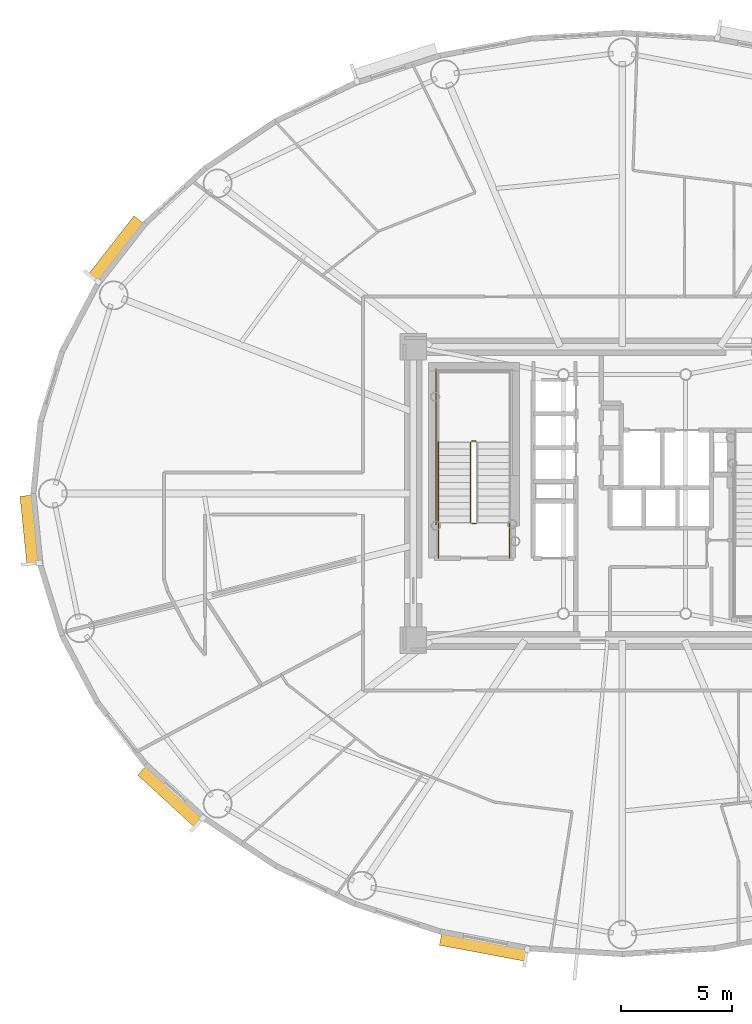
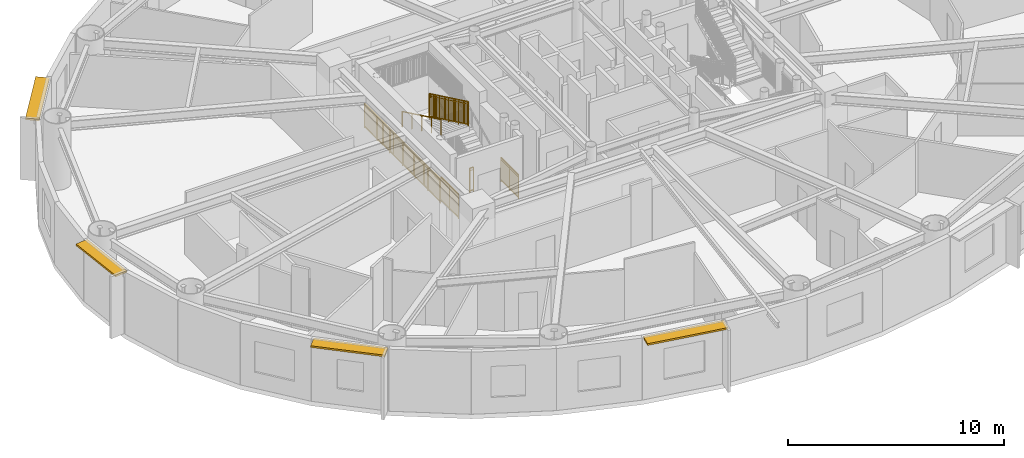
# One storey, part 12 of 17: 7 railings, 4 shading devices.
"""IFC4 building model written with IfcOpenShell, lengths in metres."""

from ifc_helpers import new_model, si_unit, direction, frame, origin, origin_2d, place, context, subcontext, project, spatial, rectangle, extrude, source, transform, mapped, material, layer, layer_set, type_object, element, save


model = new_model("IFC4")

# Units and contexts
model_context = context("Model", 3, precision=1e-05, world=origin(), true_north=direction((0.0, 1.0)))
body_context = subcontext(model_context, "Body", "Model", "MODEL_VIEW")
ifc_project = project(units=[si_unit("LENGTHUNIT", "METRE"), si_unit("AREAUNIT", "SQUARE_METRE"), si_unit("VOLUMEUNIT", "CUBIC_METRE"), si_unit("PLANEANGLEUNIT", "RADIAN"), si_unit("MASSUNIT", "GRAM", prefix="KILO")], contexts=[model_context])

# Site, building, storey
site_placement = place(None, origin())
site = spatial("IfcSite", under=ifc_project, at=site_placement, CompositionType="ELEMENT")
building_placement = place(site_placement, origin())
building = spatial("IfcBuilding", under=site, at=building_placement, Name="Linh Dai School and Residence Tower", CompositionType="ELEMENT")
storey_placement = place(building_placement, frame((0.0, 0.0, 197.39990234375)))
storey = spatial("IfcBuildingStorey", under=building, at=storey_placement, Name="L48", CompositionType="ELEMENT", Elevation=197.39990234375)

# Shading devices
ifc_material_1 = material(Name="Terracotta Ceramic Sunshade", Category="masonry")
ifc_layer = layer(ifc_material_1, 0.10009765625)
ifc_layer_set = layer_set([ifc_layer], Name="Terracotta Ceramic Sunshade")
shading_device_type = type_object("IfcShadingDeviceType", Name="SHD-TC-650", PredefinedType="USERDEFINED", material=ifc_layer_set)
shared_shape_1 = source(origin(), body_context, "Body", "SweptSolid", [
    extrude(rectangle(XDim=3.1201171875, YDim=0.64990234375, at=origin_2d()), origin(), (0.0, 0.0, 1.0), 0.10009765625),
])
shading_device_1_placement = place(storey_placement, frame((9.40380859375, 25.354736328125, 3.380126953125), z_axis=(0.0, 0.0, 1.0), x_axis=(-0.100001796141, 0.994987256586, 0.0)))
element("IfcShadingDevice", 1, at=shading_device_1_placement, inside=storey, type_object=shading_device_type, Name="L48 Terracotta Horizontal Sunshade Band 21", ObjectType="SUNSHADE", PredefinedType="USERDEFINED", context=body_context, shape_type="MappedRepresentation", body=[
    mapped(shared_shape_1, transform((0.0, 0.0, 0.0), x_axis=(1.0, 0.0, 0.0), y_axis=(0.0, 1.0, 0.0), z_axis=(0.0, 0.0, 1.0), scale=1.0)),
])
shared_shape_2 = source(origin(), body_context, "Body", "SweptSolid", [
    extrude(rectangle(XDim=3.51171875, YDim=0.64990234375, at=origin_2d()), origin(), (0.0, 0.0, 1.0), 0.10009765625),
])
shading_device_2_placement = place(storey_placement, frame((15.727294921875, 13.395263671875, 3.380126953125), z_axis=(0.0, 0.0, 1.0), x_axis=(-0.737085029426, 0.67580001435, 0.0)))
element("IfcShadingDevice", 2, at=shading_device_2_placement, inside=storey, type_object=shading_device_type, Name="L48 Terracotta Horizontal Sunshade Band 25", ObjectType="SUNSHADE", PredefinedType="USERDEFINED", context=body_context, shape_type="MappedRepresentation", body=[
    mapped(shared_shape_2, transform((0.0, 0.0, 0.0), x_axis=(1.0, 0.0, 0.0), y_axis=(0.0, 1.0, 0.0), z_axis=(0.0, 0.0, 1.0), scale=1.0)),
])
shared_shape_3 = source(origin(), body_context, "Body", "SweptSolid", [
    extrude(rectangle(XDim=3.949462890625, YDim=0.64990234375, at=origin_2d()), origin(), (0.0, 0.0, 1.0), 0.10009765625),
])
shading_device_3_placement = place(storey_placement, frame((29.780029296875, 6.650390625, 3.380126953125), z_axis=(0.0, 0.0, 1.0), x_axis=(-0.982783192645, 0.184762540184, 0.0)))
element("IfcShadingDevice", 3, at=shading_device_3_placement, inside=storey, type_object=shading_device_type, Name="L48 Terracotta Horizontal Sunshade Band 29", ObjectType="SUNSHADE", PredefinedType="USERDEFINED", context=body_context, shape_type="MappedRepresentation", body=[
    mapped(shared_shape_3, transform((0.0, 0.0, 0.0), x_axis=(1.0, 0.0, 0.0), y_axis=(0.0, 1.0, 0.0), z_axis=(0.0, 0.0, 1.0), scale=1.0)),
])
shared_shape_4 = source(origin(), body_context, "Body", "SweptSolid", [
    extrude(rectangle(XDim=3.376708984375, YDim=0.64990234375, at=origin_2d()), origin(), (0.0, 0.0, 1.0), 0.10009765625),
])
shading_device_4_placement = place(storey_placement, frame((13.263427734375, 37.94921875, 3.380126953125), z_axis=(0.0, 0.0, 1.0), x_axis=(0.616286337798, 0.787522158319, 0.0)))
element("IfcShadingDevice", 4, at=shading_device_4_placement, inside=storey, type_object=shading_device_type, Name="L48 Terracotta Horizontal Sunshade Band 17", ObjectType="SUNSHADE", PredefinedType="USERDEFINED", context=body_context, shape_type="MappedRepresentation", body=[
    mapped(shared_shape_4, transform((0.0, 0.0, 0.0), x_axis=(1.0, 0.0, 0.0), y_axis=(0.0, 1.0, 0.0), z_axis=(0.0, 0.0, 1.0), scale=1.0)),
])

# Railings
ifc_material_2 = material(Name="Structural Steel S355JR", Category="steel")
railing_type_1 = type_object("IfcRailingType", Name="RL-ST-GUARD-1400", PredefinedType="GUARDRAIL", material=ifc_material_2)
shared_shape_5 = source(origin(), body_context, "Body", "SweptSolid", [
    extrude(rectangle(XDim=0.048095703125, YDim=0.048095703125, at=origin_2d()), frame((0.0, 0.0, 1.3759765625), z_axis=(-1.0, 0.0, 0.0), x_axis=(0.0, -1.0, 0.0)), (0.0, 0.0, 1.0), 0.199951171875),
    extrude(rectangle(XDim=0.048095703125, YDim=0.048095703125, at=origin_2d()), frame((0.0, 0.0, 0.10009765625), z_axis=(-1.0, 0.0, 0.0), x_axis=(0.0, -1.0, 0.0)), (0.0, 0.0, 1.0), 0.199951171875),
    extrude(rectangle(XDim=0.030029296875, YDim=0.030029296875, at=origin_2d()), frame((0.0, 0.0, 1.239990234375), z_axis=(-1.0, 0.0, 0.0), x_axis=(0.0, -1.0, 0.0)), (0.0, 0.0, 1.0), 0.199951171875),
    extrude(rectangle(XDim=0.0419921875, YDim=0.0419921875, at=origin_2d()), origin(), (0.0, 0.0, 1.0), 1.3759765625),
    extrude(rectangle(XDim=0.0419921875, YDim=0.0419921875, at=origin_2d()), frame((-0.199951171875, 0.0, 0.0)), (0.0, 0.0, 1.0), 1.3759765625),
])
for number, where, name in (
    (5, (29.429931640625, 29.35009765625, 1.875), "L48 ST1 stair guard 2"),
    (6, (29.429931640625, 25.64990234375, 0.0), "L48 ST1 stair guard 7"),
):
    element("IfcRailing", number, at=place(storey_placement, frame(where)), inside=storey, type_object=railing_type_1, Name=name, PredefinedType="GUARDRAIL", context=body_context, shape_type="MappedRepresentation", body=[
        mapped(shared_shape_5, transform((0.0, 0.0, 0.0), x_axis=(1.0, 0.0, 0.0), y_axis=(0.0, 1.0, 0.0), z_axis=(0.0, 0.0, 1.0), scale=1.0)),
    ])
shared_shape_6 = source(origin(), body_context, "Body", "SweptSolid", [
    extrude(rectangle(XDim=0.048095703125, YDim=0.048095703125, at=origin_2d()), frame((0.0, 0.0, 1.3759765625), z_axis=(0.0, 1.0, 0.0), x_axis=(-1.0, 0.0, 0.0)), (0.0, 0.0, 1.0), 1.599853515625),
    extrude(rectangle(XDim=0.048095703125, YDim=0.048095703125, at=origin_2d()), frame((0.0, 0.0, 0.10009765625), z_axis=(0.0, 1.0, 0.0), x_axis=(-1.0, 0.0, 0.0)), (0.0, 0.0, 1.0), 1.599853515625),
    extrude(rectangle(XDim=0.030029296875, YDim=0.030029296875, at=origin_2d()), frame((0.0, 0.0, 1.239990234375), z_axis=(0.0, 1.0, 0.0), x_axis=(-1.0, 0.0, 0.0)), (0.0, 0.0, 1.0), 1.599853515625),
    extrude(rectangle(XDim=0.02001953125, YDim=0.02001953125, at=origin_2d()), frame((0.0, 0.093994140625, 0.10009765625)), (0.0, 0.0, 1.0), 1.251708984375),
    extrude(rectangle(XDim=0.02001953125, YDim=0.02001953125, at=origin_2d()), frame((0.0, 0.188232421875, 0.10009765625)), (0.0, 0.0, 1.0), 1.251708984375),
    extrude(rectangle(XDim=0.02001953125, YDim=0.02001953125, at=origin_2d()), frame((0.0, 0.2822265625, 0.10009765625)), (0.0, 0.0, 1.0), 1.251708984375),
    extrude(rectangle(XDim=0.02001953125, YDim=0.02001953125, at=origin_2d()), frame((0.0, 0.37646484375, 0.10009765625)), (0.0, 0.0, 1.0), 1.251708984375),
    extrude(rectangle(XDim=0.02001953125, YDim=0.02001953125, at=origin_2d()), frame((0.0, 0.470458984375, 0.10009765625)), (0.0, 0.0, 1.0), 1.251708984375),
    extrude(rectangle(XDim=0.02001953125, YDim=0.02001953125, at=origin_2d()), frame((0.0, 0.564697265625, 0.10009765625)), (0.0, 0.0, 1.0), 1.251708984375),
    extrude(rectangle(XDim=0.02001953125, YDim=0.02001953125, at=origin_2d()), frame((0.0, 0.65869140625, 0.10009765625)), (0.0, 0.0, 1.0), 1.251708984375),
    extrude(rectangle(XDim=0.02001953125, YDim=0.02001953125, at=origin_2d()), frame((0.0, 0.7529296875, 0.10009765625)), (0.0, 0.0, 1.0), 1.251708984375),
    extrude(rectangle(XDim=0.02001953125, YDim=0.02001953125, at=origin_2d()), frame((0.0, 0.846923828125, 0.10009765625)), (0.0, 0.0, 1.0), 1.251708984375),
    extrude(rectangle(XDim=0.02001953125, YDim=0.02001953125, at=origin_2d()), frame((0.0, 0.941162109375, 0.10009765625)), (0.0, 0.0, 1.0), 1.251708984375),
    extrude(rectangle(XDim=0.02001953125, YDim=0.02001953125, at=origin_2d()), frame((0.0, 1.03515625, 0.10009765625)), (0.0, 0.0, 1.0), 1.251708984375),
    extrude(rectangle(XDim=0.02001953125, YDim=0.02001953125, at=origin_2d()), frame((0.0, 1.12939453125, 0.10009765625)), (0.0, 0.0, 1.0), 1.251708984375),
    extrude(rectangle(XDim=0.02001953125, YDim=0.02001953125, at=origin_2d()), frame((0.0, 1.223388671875, 0.10009765625)), (0.0, 0.0, 1.0), 1.251708984375),
    extrude(rectangle(XDim=0.02001953125, YDim=0.02001953125, at=origin_2d()), frame((0.0, 1.317626953125, 0.10009765625)), (0.0, 0.0, 1.0), 1.251708984375),
    extrude(rectangle(XDim=0.02001953125, YDim=0.02001953125, at=origin_2d()), frame((0.0, 1.41162109375, 0.10009765625)), (0.0, 0.0, 1.0), 1.251708984375),
    extrude(rectangle(XDim=0.02001953125, YDim=0.02001953125, at=origin_2d()), frame((0.0, 1.505859375, 0.10009765625)), (0.0, 0.0, 1.0), 1.251708984375),
    extrude(rectangle(XDim=0.0419921875, YDim=0.0419921875, at=origin_2d()), origin(), (0.0, 0.0, 1.0), 1.3759765625),
    extrude(rectangle(XDim=0.0419921875, YDim=0.0419921875, at=origin_2d()), frame((0.0, 0.7998046875, 0.0)), (0.0, 0.0, 1.0), 1.3759765625),
    extrude(rectangle(XDim=0.0419921875, YDim=0.0419921875, at=origin_2d()), frame((0.0, 1.599853515625, 0.0)), (0.0, 0.0, 1.0), 1.3759765625),
])
for number, where, name in (
    (7, (30.929931640625, 24.10009765625, 0.0), "L48 ST1 stair guard 8"),
    (8, (27.72998046875, 24.10009765625, 0.0), "L48 ST1 stair guard 9"),
):
    element("IfcRailing", number, at=place(storey_placement, frame(where)), inside=storey, type_object=railing_type_1, Name=name, PredefinedType="GUARDRAIL", context=body_context, shape_type="MappedRepresentation", body=[
        mapped(shared_shape_6, transform((0.0, 0.0, 0.0), x_axis=(1.0, 0.0, 0.0), y_axis=(0.0, 1.0, 0.0), z_axis=(0.0, 0.0, 1.0), scale=1.0)),
    ])
shared_shape_7 = source(origin(), body_context, "Body", "SweptSolid", [
    extrude(rectangle(XDim=0.048095703125, YDim=0.048095703125, at=origin_2d()), frame((0.0, 0.0, 1.3759765625), z_axis=(0.0, 1.0, 0.0), x_axis=(-1.0, 0.0, 0.0)), (0.0, 0.0, 1.0), 7.0),
    extrude(rectangle(XDim=0.048095703125, YDim=0.048095703125, at=origin_2d()), frame((0.0, 0.0, 0.10009765625), z_axis=(0.0, 1.0, 0.0), x_axis=(-1.0, 0.0, 0.0)), (0.0, 0.0, 1.0), 7.0),
    extrude(rectangle(XDim=0.030029296875, YDim=0.030029296875, at=origin_2d()), frame((0.0, 0.0, 1.239990234375), z_axis=(0.0, 1.0, 0.0), x_axis=(-1.0, 0.0, 0.0)), (0.0, 0.0, 1.0), 7.0),
    extrude(rectangle(XDim=0.02001953125, YDim=0.02001953125, at=origin_2d()), frame((0.0, 0.09716796875, 0.10009765625)), (0.0, 0.0, 1.0), 1.251708984375),
    extrude(rectangle(XDim=0.02001953125, YDim=0.02001953125, at=origin_2d()), frame((0.0, 0.1943359375, 0.10009765625)), (0.0, 0.0, 1.0), 1.251708984375),
    extrude(rectangle(XDim=0.02001953125, YDim=0.02001953125, at=origin_2d()), frame((0.0, 0.291748046875, 0.10009765625)), (0.0, 0.0, 1.0), 1.251708984375),
    extrude(rectangle(XDim=0.02001953125, YDim=0.02001953125, at=origin_2d()), frame((0.0, 0.388916015625, 0.10009765625)), (0.0, 0.0, 1.0), 1.251708984375),
    extrude(rectangle(XDim=0.02001953125, YDim=0.02001953125, at=origin_2d()), frame((0.0, 0.486083984375, 0.10009765625)), (0.0, 0.0, 1.0), 1.251708984375),
    extrude(rectangle(XDim=0.02001953125, YDim=0.02001953125, at=origin_2d()), frame((0.0, 0.583251953125, 0.10009765625)), (0.0, 0.0, 1.0), 1.251708984375),
    extrude(rectangle(XDim=0.02001953125, YDim=0.02001953125, at=origin_2d()), frame((0.0, 0.6806640625, 0.10009765625)), (0.0, 0.0, 1.0), 1.251708984375),
    extrude(rectangle(XDim=0.02001953125, YDim=0.02001953125, at=origin_2d()), frame((0.0, 0.77783203125, 0.10009765625)), (0.0, 0.0, 1.0), 1.251708984375),
    extrude(rectangle(XDim=0.02001953125, YDim=0.02001953125, at=origin_2d()), frame((0.0, 0.875, 0.10009765625)), (0.0, 0.0, 1.0), 1.251708984375),
    extrude(rectangle(XDim=0.02001953125, YDim=0.02001953125, at=origin_2d()), frame((0.0, 0.97216796875, 0.10009765625)), (0.0, 0.0, 1.0), 1.251708984375),
    extrude(rectangle(XDim=0.02001953125, YDim=0.02001953125, at=origin_2d()), frame((0.0, 1.0693359375, 0.10009765625)), (0.0, 0.0, 1.0), 1.251708984375),
    extrude(rectangle(XDim=0.02001953125, YDim=0.02001953125, at=origin_2d()), frame((0.0, 1.263916015625, 0.10009765625)), (0.0, 0.0, 1.0), 1.251708984375),
    extrude(rectangle(XDim=0.02001953125, YDim=0.02001953125, at=origin_2d()), frame((0.0, 1.361083984375, 0.10009765625)), (0.0, 0.0, 1.0), 1.251708984375),
    extrude(rectangle(XDim=0.02001953125, YDim=0.02001953125, at=origin_2d()), frame((0.0, 1.458251953125, 0.10009765625)), (0.0, 0.0, 1.0), 1.251708984375),
    extrude(rectangle(XDim=0.02001953125, YDim=0.02001953125, at=origin_2d()), frame((0.0, 1.5556640625, 0.10009765625)), (0.0, 0.0, 1.0), 1.251708984375),
    extrude(rectangle(XDim=0.02001953125, YDim=0.02001953125, at=origin_2d()), frame((0.0, 1.65283203125, 0.10009765625)), (0.0, 0.0, 1.0), 1.251708984375),
    extrude(rectangle(XDim=0.02001953125, YDim=0.02001953125, at=origin_2d()), frame((0.0, 1.75, 0.10009765625)), (0.0, 0.0, 1.0), 1.251708984375),
    extrude(rectangle(XDim=0.02001953125, YDim=0.02001953125, at=origin_2d()), frame((0.0, 1.84716796875, 0.10009765625)), (0.0, 0.0, 1.0), 1.251708984375),
    extrude(rectangle(XDim=0.02001953125, YDim=0.02001953125, at=origin_2d()), frame((0.0, 1.9443359375, 0.10009765625)), (0.0, 0.0, 1.0), 1.251708984375),
    extrude(rectangle(XDim=0.02001953125, YDim=0.02001953125, at=origin_2d()), frame((0.0, 2.041748046875, 0.10009765625)), (0.0, 0.0, 1.0), 1.251708984375),
    extrude(rectangle(XDim=0.02001953125, YDim=0.02001953125, at=origin_2d()), frame((0.0, 2.138916015625, 0.10009765625)), (0.0, 0.0, 1.0), 1.251708984375),
    extrude(rectangle(XDim=0.02001953125, YDim=0.02001953125, at=origin_2d()), frame((0.0, 2.236083984375, 0.10009765625)), (0.0, 0.0, 1.0), 1.251708984375),
    extrude(rectangle(XDim=0.02001953125, YDim=0.02001953125, at=origin_2d()), frame((0.0, 2.4306640625, 0.10009765625)), (0.0, 0.0, 1.0), 1.251708984375),
    extrude(rectangle(XDim=0.02001953125, YDim=0.02001953125, at=origin_2d()), frame((0.0, 2.52783203125, 0.10009765625)), (0.0, 0.0, 1.0), 1.251708984375),
    extrude(rectangle(XDim=0.02001953125, YDim=0.02001953125, at=origin_2d()), frame((0.0, 2.625, 0.10009765625)), (0.0, 0.0, 1.0), 1.251708984375),
    extrude(rectangle(XDim=0.02001953125, YDim=0.02001953125, at=origin_2d()), frame((0.0, 2.72216796875, 0.10009765625)), (0.0, 0.0, 1.0), 1.251708984375),
    extrude(rectangle(XDim=0.02001953125, YDim=0.02001953125, at=origin_2d()), frame((0.0, 2.8193359375, 0.10009765625)), (0.0, 0.0, 1.0), 1.251708984375),
    extrude(rectangle(XDim=0.02001953125, YDim=0.02001953125, at=origin_2d()), frame((0.0, 2.916748046875, 0.10009765625)), (0.0, 0.0, 1.0), 1.251708984375),
    extrude(rectangle(XDim=0.02001953125, YDim=0.02001953125, at=origin_2d()), frame((0.0, 3.013916015625, 0.10009765625)), (0.0, 0.0, 1.0), 1.251708984375),
    extrude(rectangle(XDim=0.02001953125, YDim=0.02001953125, at=origin_2d()), frame((0.0, 3.111083984375, 0.10009765625)), (0.0, 0.0, 1.0), 1.251708984375),
    extrude(rectangle(XDim=0.02001953125, YDim=0.02001953125, at=origin_2d()), frame((0.0, 3.208251953125, 0.10009765625)), (0.0, 0.0, 1.0), 1.251708984375),
    extrude(rectangle(XDim=0.02001953125, YDim=0.02001953125, at=origin_2d()), frame((0.0, 3.3056640625, 0.10009765625)), (0.0, 0.0, 1.0), 1.251708984375),
    extrude(rectangle(XDim=0.02001953125, YDim=0.02001953125, at=origin_2d()), frame((0.0, 3.40283203125, 0.10009765625)), (0.0, 0.0, 1.0), 1.251708984375),
    extrude(rectangle(XDim=0.02001953125, YDim=0.02001953125, at=origin_2d()), frame((0.0, 3.59716796875, 0.10009765625)), (0.0, 0.0, 1.0), 1.251708984375),
    extrude(rectangle(XDim=0.02001953125, YDim=0.02001953125, at=origin_2d()), frame((0.0, 3.6943359375, 0.10009765625)), (0.0, 0.0, 1.0), 1.251708984375),
    extrude(rectangle(XDim=0.02001953125, YDim=0.02001953125, at=origin_2d()), frame((0.0, 3.791748046875, 0.10009765625)), (0.0, 0.0, 1.0), 1.251708984375),
    extrude(rectangle(XDim=0.02001953125, YDim=0.02001953125, at=origin_2d()), frame((0.0, 3.888916015625, 0.10009765625)), (0.0, 0.0, 1.0), 1.251708984375),
    extrude(rectangle(XDim=0.02001953125, YDim=0.02001953125, at=origin_2d()), frame((0.0, 3.986083984375, 0.10009765625)), (0.0, 0.0, 1.0), 1.251708984375),
    extrude(rectangle(XDim=0.02001953125, YDim=0.02001953125, at=origin_2d()), frame((0.0, 4.083251953125, 0.10009765625)), (0.0, 0.0, 1.0), 1.251708984375),
    extrude(rectangle(XDim=0.02001953125, YDim=0.02001953125, at=origin_2d()), frame((0.0, 4.1806640625, 0.10009765625)), (0.0, 0.0, 1.0), 1.251708984375),
    extrude(rectangle(XDim=0.02001953125, YDim=0.02001953125, at=origin_2d()), frame((0.0, 4.27783203125, 0.10009765625)), (0.0, 0.0, 1.0), 1.251708984375),
    extrude(rectangle(XDim=0.02001953125, YDim=0.02001953125, at=origin_2d()), frame((0.0, 4.375, 0.10009765625)), (0.0, 0.0, 1.0), 1.251708984375),
    extrude(rectangle(XDim=0.02001953125, YDim=0.02001953125, at=origin_2d()), frame((0.0, 4.47216796875, 0.10009765625)), (0.0, 0.0, 1.0), 1.251708984375),
    extrude(rectangle(XDim=0.02001953125, YDim=0.02001953125, at=origin_2d()), frame((0.0, 4.5693359375, 0.10009765625)), (0.0, 0.0, 1.0), 1.251708984375),
    extrude(rectangle(XDim=0.02001953125, YDim=0.02001953125, at=origin_2d()), frame((0.0, 4.763916015625, 0.10009765625)), (0.0, 0.0, 1.0), 1.251708984375),
    extrude(rectangle(XDim=0.02001953125, YDim=0.02001953125, at=origin_2d()), frame((0.0, 4.861083984375, 0.10009765625)), (0.0, 0.0, 1.0), 1.251708984375),
    extrude(rectangle(XDim=0.02001953125, YDim=0.02001953125, at=origin_2d()), frame((0.0, 4.958251953125, 0.10009765625)), (0.0, 0.0, 1.0), 1.251708984375),
    extrude(rectangle(XDim=0.02001953125, YDim=0.02001953125, at=origin_2d()), frame((0.0, 5.0556640625, 0.10009765625)), (0.0, 0.0, 1.0), 1.251708984375),
    extrude(rectangle(XDim=0.02001953125, YDim=0.02001953125, at=origin_2d()), frame((0.0, 5.15283203125, 0.10009765625)), (0.0, 0.0, 1.0), 1.251708984375),
    extrude(rectangle(XDim=0.02001953125, YDim=0.02001953125, at=origin_2d()), frame((0.0, 5.25, 0.10009765625)), (0.0, 0.0, 1.0), 1.251708984375),
    extrude(rectangle(XDim=0.02001953125, YDim=0.02001953125, at=origin_2d()), frame((0.0, 5.34716796875, 0.10009765625)), (0.0, 0.0, 1.0), 1.251708984375),
    extrude(rectangle(XDim=0.02001953125, YDim=0.02001953125, at=origin_2d()), frame((0.0, 5.4443359375, 0.10009765625)), (0.0, 0.0, 1.0), 1.251708984375),
    extrude(rectangle(XDim=0.02001953125, YDim=0.02001953125, at=origin_2d()), frame((0.0, 5.541748046875, 0.10009765625)), (0.0, 0.0, 1.0), 1.251708984375),
    extrude(rectangle(XDim=0.02001953125, YDim=0.02001953125, at=origin_2d()), frame((0.0, 5.638916015625, 0.10009765625)), (0.0, 0.0, 1.0), 1.251708984375),
    extrude(rectangle(XDim=0.02001953125, YDim=0.02001953125, at=origin_2d()), frame((0.0, 5.736083984375, 0.10009765625)), (0.0, 0.0, 1.0), 1.251708984375),
    extrude(rectangle(XDim=0.02001953125, YDim=0.02001953125, at=origin_2d()), frame((0.0, 5.9306640625, 0.10009765625)), (0.0, 0.0, 1.0), 1.251708984375),
    extrude(rectangle(XDim=0.02001953125, YDim=0.02001953125, at=origin_2d()), frame((0.0, 6.02783203125, 0.10009765625)), (0.0, 0.0, 1.0), 1.251708984375),
    extrude(rectangle(XDim=0.02001953125, YDim=0.02001953125, at=origin_2d()), frame((0.0, 6.125, 0.10009765625)), (0.0, 0.0, 1.0), 1.251708984375),
    extrude(rectangle(XDim=0.02001953125, YDim=0.02001953125, at=origin_2d()), frame((0.0, 6.22216796875, 0.10009765625)), (0.0, 0.0, 1.0), 1.251708984375),
    extrude(rectangle(XDim=0.02001953125, YDim=0.02001953125, at=origin_2d()), frame((0.0, 6.3193359375, 0.10009765625)), (0.0, 0.0, 1.0), 1.251708984375),
    extrude(rectangle(XDim=0.02001953125, YDim=0.02001953125, at=origin_2d()), frame((0.0, 6.416748046875, 0.10009765625)), (0.0, 0.0, 1.0), 1.251708984375),
    extrude(rectangle(XDim=0.02001953125, YDim=0.02001953125, at=origin_2d()), frame((0.0, 6.513916015625, 0.10009765625)), (0.0, 0.0, 1.0), 1.251708984375),
    extrude(rectangle(XDim=0.02001953125, YDim=0.02001953125, at=origin_2d()), frame((0.0, 6.611083984375, 0.10009765625)), (0.0, 0.0, 1.0), 1.251708984375),
    extrude(rectangle(XDim=0.02001953125, YDim=0.02001953125, at=origin_2d()), frame((0.0, 6.708251953125, 0.10009765625)), (0.0, 0.0, 1.0), 1.251708984375),
    extrude(rectangle(XDim=0.02001953125, YDim=0.02001953125, at=origin_2d()), frame((0.0, 6.8056640625, 0.10009765625)), (0.0, 0.0, 1.0), 1.251708984375),
    extrude(rectangle(XDim=0.02001953125, YDim=0.02001953125, at=origin_2d()), frame((0.0, 6.90283203125, 0.10009765625)), (0.0, 0.0, 1.0), 1.251708984375),
    extrude(rectangle(XDim=0.0419921875, YDim=0.0419921875, at=origin_2d()), origin(), (0.0, 0.0, 1.0), 1.3759765625),
    extrude(rectangle(XDim=0.0419921875, YDim=0.0419921875, at=origin_2d()), frame((0.0, 1.166748046875, 0.0)), (0.0, 0.0, 1.0), 1.3759765625),
    extrude(rectangle(XDim=0.0419921875, YDim=0.0419921875, at=origin_2d()), frame((0.0, 2.333251953125, 0.0)), (0.0, 0.0, 1.0), 1.3759765625),
    extrude(rectangle(XDim=0.0419921875, YDim=0.0419921875, at=origin_2d()), frame((0.0, 3.5, 0.0)), (0.0, 0.0, 1.0), 1.3759765625),
    extrude(rectangle(XDim=0.0419921875, YDim=0.0419921875, at=origin_2d()), frame((0.0, 4.666748046875, 0.0)), (0.0, 0.0, 1.0), 1.3759765625),
    extrude(rectangle(XDim=0.0419921875, YDim=0.0419921875, at=origin_2d()), frame((0.0, 5.833251953125, 0.0)), (0.0, 0.0, 1.0), 1.3759765625),
    extrude(rectangle(XDim=0.0419921875, YDim=0.0419921875, at=origin_2d()), frame((0.0, 7.0, 0.0)), (0.0, 0.0, 1.0), 1.3759765625),
])
railing_1_placement = place(storey_placement, frame((27.6298828125, 25.60009765625, 0.0)))
element("IfcRailing", 9, at=railing_1_placement, inside=storey, type_object=railing_type_1, Name="L48 ST1 stair guard 11", PredefinedType="GUARDRAIL", context=body_context, shape_type="MappedRepresentation", body=[
    mapped(shared_shape_7, transform((0.0, 0.0, 0.0), x_axis=(1.0, 0.0, 0.0), y_axis=(0.0, 1.0, 0.0), z_axis=(0.0, 0.0, 1.0), scale=1.0)),
])
shared_shape_8 = source(origin(), body_context, "Body", "SweptSolid", [
    extrude(rectangle(XDim=0.048095703125, YDim=0.048095703125, at=origin_2d()), frame((0.0, 0.0, 1.3759765625), z_axis=(0.0, -0.901262522062, 0.433273431364), x_axis=(1.0, 0.0, 0.0)), (0.0, 0.0, 1.0), 3.994384765625),
    extrude(rectangle(XDim=0.048095703125, YDim=0.048095703125, at=origin_2d()), frame((0.0, 0.0, 0.10009765625), z_axis=(0.0, -0.901262522062, 0.433273431364), x_axis=(1.0, 0.0, 0.0)), (0.0, 0.0, 1.0), 3.994384765625),
    extrude(rectangle(XDim=0.030029296875, YDim=0.030029296875, at=origin_2d()), frame((0.0, 0.0, 1.239990234375), z_axis=(0.0, -0.901262522062, 0.433273431364), x_axis=(1.0, 0.0, 0.0)), (0.0, 0.0, 1.0), 3.994384765625),
    extrude(rectangle(XDim=0.02001953125, YDim=0.02001953125, at=origin_2d()), frame((0.0, -0.087890625, 0.142333984375)), (0.0, 0.0, 1.0), 1.251708984375),
    extrude(rectangle(XDim=0.02001953125, YDim=0.02001953125, at=origin_2d()), frame((0.0, -0.175537109375, 0.1845703125)), (0.0, 0.0, 1.0), 1.251708984375),
    extrude(rectangle(XDim=0.02001953125, YDim=0.02001953125, at=origin_2d()), frame((0.0, -0.263427734375, 0.226806640625)), (0.0, 0.0, 1.0), 1.251708984375),
    extrude(rectangle(XDim=0.02001953125, YDim=0.02001953125, at=origin_2d()), frame((0.0, -0.351318359375, 0.26904296875)), (0.0, 0.0, 1.0), 1.251708984375),
    extrude(rectangle(XDim=0.02001953125, YDim=0.02001953125, at=origin_2d()), frame((0.0, -0.43896484375, 0.311279296875)), (0.0, 0.0, 1.0), 1.251708984375),
    extrude(rectangle(XDim=0.02001953125, YDim=0.02001953125, at=origin_2d()), frame((0.0, -0.52685546875, 0.353271484375)), (0.0, 0.0, 1.0), 1.251708984375),
    extrude(rectangle(XDim=0.02001953125, YDim=0.02001953125, at=origin_2d()), frame((0.0, -0.61474609375, 0.3955078125)), (0.0, 0.0, 1.0), 1.251708984375),
    extrude(rectangle(XDim=0.02001953125, YDim=0.02001953125, at=origin_2d()), frame((0.0, -0.702392578125, 0.437744140625)), (0.0, 0.0, 1.0), 1.251708984375),
    extrude(rectangle(XDim=0.02001953125, YDim=0.02001953125, at=origin_2d()), frame((0.0, -0.790283203125, 0.47998046875)), (0.0, 0.0, 1.0), 1.251708984375),
    extrude(rectangle(XDim=0.02001953125, YDim=0.02001953125, at=origin_2d()), frame((0.0, -0.9658203125, 0.564453125)), (0.0, 0.0, 1.0), 1.251708984375),
    extrude(rectangle(XDim=0.02001953125, YDim=0.02001953125, at=origin_2d()), frame((0.0, -1.0537109375, 0.606689453125)), (0.0, 0.0, 1.0), 1.251708984375),
    extrude(rectangle(XDim=0.02001953125, YDim=0.02001953125, at=origin_2d()), frame((0.0, -1.1416015625, 0.64892578125)), (0.0, 0.0, 1.0), 1.251708984375),
    extrude(rectangle(XDim=0.02001953125, YDim=0.02001953125, at=origin_2d()), frame((0.0, -1.229248046875, 0.691162109375)), (0.0, 0.0, 1.0), 1.251708984375),
    extrude(rectangle(XDim=0.02001953125, YDim=0.02001953125, at=origin_2d()), frame((0.0, -1.317138671875, 0.7333984375)), (0.0, 0.0, 1.0), 1.251708984375),
    extrude(rectangle(XDim=0.02001953125, YDim=0.02001953125, at=origin_2d()), frame((0.0, -1.405029296875, 0.775390625)), (0.0, 0.0, 1.0), 1.251708984375),
    extrude(rectangle(XDim=0.02001953125, YDim=0.02001953125, at=origin_2d()), frame((0.0, -1.49267578125, 0.817626953125)), (0.0, 0.0, 1.0), 1.251708984375),
    extrude(rectangle(XDim=0.02001953125, YDim=0.02001953125, at=origin_2d()), frame((0.0, -1.58056640625, 0.85986328125)), (0.0, 0.0, 1.0), 1.251708984375),
    extrude(rectangle(XDim=0.02001953125, YDim=0.02001953125, at=origin_2d()), frame((0.0, -1.66845703125, 0.902099609375)), (0.0, 0.0, 1.0), 1.251708984375),
    extrude(rectangle(XDim=0.02001953125, YDim=0.02001953125, at=origin_2d()), frame((0.0, -1.756103515625, 0.9443359375)), (0.0, 0.0, 1.0), 1.251708984375),
    extrude(rectangle(XDim=0.02001953125, YDim=0.02001953125, at=origin_2d()), frame((0.0, -1.843994140625, 0.986572265625)), (0.0, 0.0, 1.0), 1.251708984375),
    extrude(rectangle(XDim=0.02001953125, YDim=0.02001953125, at=origin_2d()), frame((0.0, -1.931640625, 1.02880859375)), (0.0, 0.0, 1.0), 1.251708984375),
    extrude(rectangle(XDim=0.02001953125, YDim=0.02001953125, at=origin_2d()), frame((0.0, -2.01953125, 1.071044921875)), (0.0, 0.0, 1.0), 1.251708984375),
    extrude(rectangle(XDim=0.02001953125, YDim=0.02001953125, at=origin_2d()), frame((0.0, -2.107421875, 1.11328125)), (0.0, 0.0, 1.0), 1.251708984375),
    extrude(rectangle(XDim=0.02001953125, YDim=0.02001953125, at=origin_2d()), frame((0.0, -2.195068359375, 1.155517578125)), (0.0, 0.0, 1.0), 1.251708984375),
    extrude(rectangle(XDim=0.02001953125, YDim=0.02001953125, at=origin_2d()), frame((0.0, -2.282958984375, 1.197509765625)), (0.0, 0.0, 1.0), 1.251708984375),
    extrude(rectangle(XDim=0.02001953125, YDim=0.02001953125, at=origin_2d()), frame((0.0, -2.370849609375, 1.23974609375)), (0.0, 0.0, 1.0), 1.251708984375),
    extrude(rectangle(XDim=0.02001953125, YDim=0.02001953125, at=origin_2d()), frame((0.0, -2.45849609375, 1.281982421875)), (0.0, 0.0, 1.0), 1.251708984375),
    extrude(rectangle(XDim=0.02001953125, YDim=0.02001953125, at=origin_2d()), frame((0.0, -2.54638671875, 1.32421875)), (0.0, 0.0, 1.0), 1.251708984375),
    extrude(rectangle(XDim=0.02001953125, YDim=0.02001953125, at=origin_2d()), frame((0.0, -2.63427734375, 1.366455078125)), (0.0, 0.0, 1.0), 1.251708984375),
    extrude(rectangle(XDim=0.02001953125, YDim=0.02001953125, at=origin_2d()), frame((0.0, -2.809814453125, 1.450927734375)), (0.0, 0.0, 1.0), 1.251708984375),
    extrude(rectangle(XDim=0.02001953125, YDim=0.02001953125, at=origin_2d()), frame((0.0, -2.897705078125, 1.4931640625)), (0.0, 0.0, 1.0), 1.251708984375),
    extrude(rectangle(XDim=0.02001953125, YDim=0.02001953125, at=origin_2d()), frame((0.0, -2.9853515625, 1.535400390625)), (0.0, 0.0, 1.0), 1.251708984375),
    extrude(rectangle(XDim=0.02001953125, YDim=0.02001953125, at=origin_2d()), frame((0.0, -3.0732421875, 1.57763671875)), (0.0, 0.0, 1.0), 1.251708984375),
    extrude(rectangle(XDim=0.02001953125, YDim=0.02001953125, at=origin_2d()), frame((0.0, -3.1611328125, 1.61962890625)), (0.0, 0.0, 1.0), 1.251708984375),
    extrude(rectangle(XDim=0.02001953125, YDim=0.02001953125, at=origin_2d()), frame((0.0, -3.248779296875, 1.661865234375)), (0.0, 0.0, 1.0), 1.251708984375),
    extrude(rectangle(XDim=0.02001953125, YDim=0.02001953125, at=origin_2d()), frame((0.0, -3.336669921875, 1.7041015625)), (0.0, 0.0, 1.0), 1.251708984375),
    extrude(rectangle(XDim=0.02001953125, YDim=0.02001953125, at=origin_2d()), frame((0.0, -3.424560546875, 1.746337890625)), (0.0, 0.0, 1.0), 1.251708984375),
    extrude(rectangle(XDim=0.02001953125, YDim=0.02001953125, at=origin_2d()), frame((0.0, -3.51220703125, 1.78857421875)), (0.0, 0.0, 1.0), 1.251708984375),
    extrude(rectangle(XDim=0.0419921875, YDim=0.0419921875, at=origin_2d()), origin(), (0.0, 0.0, 1.0), 1.3759765625),
    extrude(rectangle(XDim=0.0419921875, YDim=0.0419921875, at=origin_2d()), frame((0.0, -0.89990234375, 0.4326171875)), (0.0, 0.0, 1.0), 1.3759765625),
    extrude(rectangle(XDim=0.0419921875, YDim=0.0419921875, at=origin_2d()), frame((0.0, -1.800048828125, 0.865234375)), (0.0, 0.0, 1.0), 1.3759765625),
    extrude(rectangle(XDim=0.0419921875, YDim=0.0419921875, at=origin_2d()), frame((0.0, -2.7001953125, 1.298095703125)), (0.0, 0.0, 1.0), 1.3759765625),
    extrude(rectangle(XDim=0.0419921875, YDim=0.0419921875, at=origin_2d()), frame((0.0, -3.60009765625, 1.730712890625)), (0.0, 0.0, 1.0), 1.3759765625),
])
railing_2_placement = place(storey_placement, frame((29.179931640625, 29.300048828125, 2.019287109375)))
element("IfcRailing", 10, at=railing_2_placement, inside=storey, type_object=railing_type_1, Name="L48 ST1 stair guard 6", PredefinedType="GUARDRAIL", context=body_context, shape_type="MappedRepresentation", body=[
    mapped(shared_shape_8, transform((0.0, 0.0, 0.0), x_axis=(1.0, 0.0, 0.0), y_axis=(0.0, 1.0, 0.0), z_axis=(0.0, 0.0, 1.0), scale=1.0)),
])
ifc_material_3 = material(Name="Brushed Stainless Steel Handrail", Category="steel")
railing_type_2 = type_object("IfcRailingType", Name="RL-ST-HANDRAIL-900", PredefinedType="HANDRAIL", material=ifc_material_3)
shared_shape_9 = source(origin(), body_context, "Body", "SweptSolid", [
    extrude(rectangle(XDim=0.048095703125, YDim=0.048095703125, at=origin_2d()), frame((0.0, 0.0, 0.8759765625), z_axis=(0.0, -0.901262522062, 0.433273431364), x_axis=(1.0, 0.0, 0.0)), (0.0, 0.0, 1.0), 3.994384765625),
    extrude(rectangle(XDim=0.0419921875, YDim=0.0419921875, at=origin_2d()), origin(), (0.0, 0.0, 1.0), 0.8759765625),
    extrude(rectangle(XDim=0.0419921875, YDim=0.0419921875, at=origin_2d()), frame((0.0, -0.89990234375, 0.4326171875)), (0.0, 0.0, 1.0), 0.8759765625),
    extrude(rectangle(XDim=0.0419921875, YDim=0.0419921875, at=origin_2d()), frame((0.0, -1.800048828125, 0.865234375)), (0.0, 0.0, 1.0), 0.8759765625),
    extrude(rectangle(XDim=0.0419921875, YDim=0.0419921875, at=origin_2d()), frame((0.0, -2.7001953125, 1.298095703125)), (0.0, 0.0, 1.0), 0.8759765625),
    extrude(rectangle(XDim=0.0419921875, YDim=0.0419921875, at=origin_2d()), frame((0.0, -3.60009765625, 1.730712890625)), (0.0, 0.0, 1.0), 0.8759765625),
])
railing_3_placement = place(storey_placement, frame((27.72998046875, 29.300048828125, 2.019287109375)))
element("IfcRailing", 11, at=railing_3_placement, inside=storey, type_object=railing_type_2, Name="L48 ST1 stair handrail 2", PredefinedType="HANDRAIL", context=body_context, shape_type="MappedRepresentation", body=[
    mapped(shared_shape_9, transform((0.0, 0.0, 0.0), x_axis=(1.0, 0.0, 0.0), y_axis=(0.0, 1.0, 0.0), z_axis=(0.0, 0.0, 1.0), scale=1.0)),
])

save(model, "model.ifc")
